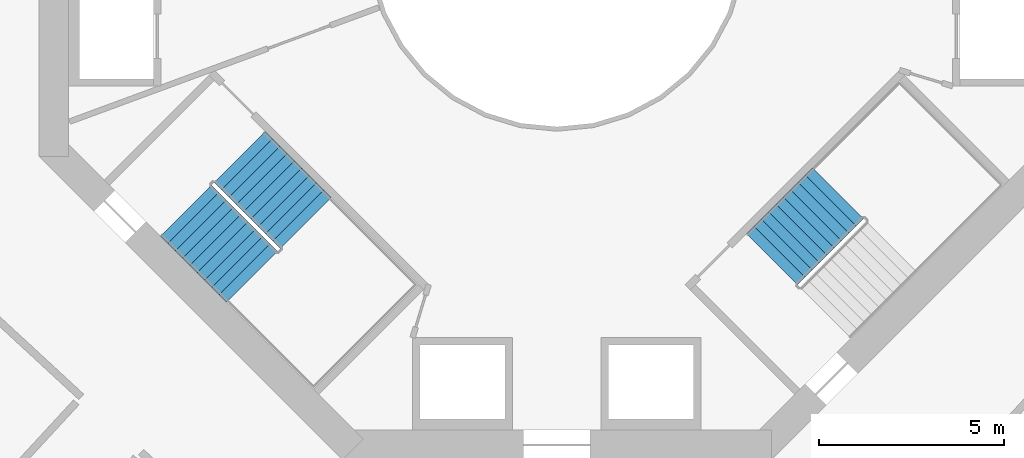
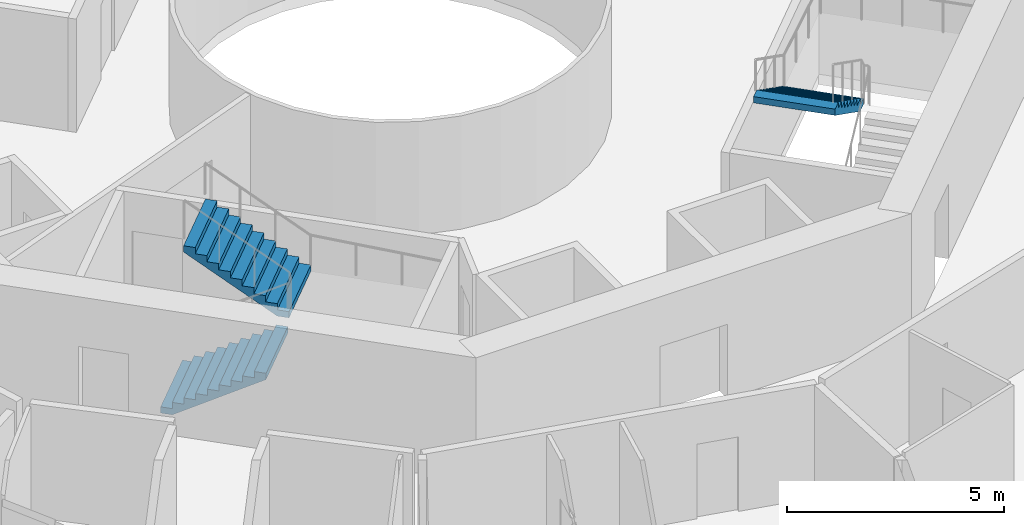
# One storey, part 23 of 25: 3 stair flights, 2 elements without a shape of their own.
"""IFC4 building model written with IfcOpenShell, lengths in metres."""

from ifc_helpers import new_model, si_unit, direction, frame, origin, place, context, subcontext, project, spatial, triangles, material, type_object, element, aggregate, save


model = new_model("IFC4")

# Units and contexts
model_context = context("Model", 3, precision=1e-05, world=origin(), true_north=direction((0.0, 1.0)))
body_context = subcontext(model_context, "Body", "Model", "MODEL_VIEW")
ifc_project = project(units=[si_unit("LENGTHUNIT", "METRE"), si_unit("AREAUNIT", "SQUARE_METRE"), si_unit("VOLUMEUNIT", "CUBIC_METRE"), si_unit("PLANEANGLEUNIT", "RADIAN"), si_unit("MASSUNIT", "GRAM", prefix="KILO")], contexts=[model_context])

# Site, building, storey
site_placement = place(None, origin())
site = spatial("IfcSite", under=ifc_project, at=site_placement, CompositionType="ELEMENT")
building_placement = place(site_placement, origin())
building = spatial("IfcBuilding", under=site, at=building_placement, Name="Verdalira Terraces Hotel", CompositionType="ELEMENT")
storey_placement = place(building_placement, frame((0.0, 0.0, 103.5)))
storey = spatial("IfcBuildingStorey", under=building, at=storey_placement, Name="L24", CompositionType="ELEMENT", Elevation=103.5)

# Stair, stair flights
ifc_material_1 = material(Name="Concrete C40", Category="concrete")
stair_type = type_object("IfcStairType", Name="Core stair 20 risers 1950 mm wide", PredefinedType="HALF_TURN_STAIR", material=ifc_material_1)
stair_1_placement = place(storey_placement, origin())
stair_1 = element("IfcStair", 1, at=stair_1_placement, inside=storey, type_object=stair_type, Name="L24 Exit stair ST2", PredefinedType="HALF_TURN_STAIR")
ifc_material_2 = material(Name="Concrete C40", Category="concrete")
stair_flight_type = type_object("IfcStairFlightType", Name="Core stair flight 20 risers 1950 mm wide", PredefinedType="STRAIGHT", material=ifc_material_2)
stair_flight_1_placement = place(storey_placement, frame((-10.023193, -7.265625, 0.0), z_axis=(0.0, 0.0, 1.0), x_axis=(0.707106781, -0.707106781, 0.0)))
stair_flight_1 = element("IfcStairFlight", 2, at=stair_flight_1_placement, type_object=stair_flight_type, Name="ST2 flight 1", NumberOfRisers=10, NumberOfTreads=9, PredefinedType="STRAIGHT", RiserHeight=0.175, TreadLength=0.28, context=body_context, shape_type="Tessellation", body=[
    triangles([(0.0, 0.974976, 0.0), (0.282715, 0.974976, 0.0), (2.52002, 0.974976, 1.398193), (0.0, -0.974976, 0.0), (0.282715, -0.974976, 0.0), (2.52002, -0.974976, 1.398193), (2.52002, 0.974976, 1.574951), (2.23999, 0.974976, 1.574951), (2.52002, -0.974976, 1.574951), (2.23999, -0.974976, 1.574951), (2.23999, 0.974976, 1.399902), (2.23999, -0.974976, 1.399902), (1.959961, 0.974976, 1.399902), (1.959961, -0.974976, 1.399902), (1.959961, 0.974976, 1.225098), (1.959961, -0.974976, 1.225098), (1.679932, 0.974976, 1.225098), (1.679932, 0.974976, 1.050049), (1.679932, -0.974976, 1.225098), (1.679932, -0.974976, 1.050049), (1.399902, 0.974976, 1.050049), (1.399902, 0.974976, 0.875), (1.399902, -0.974976, 1.050049), (1.399902, -0.974976, 0.875), (1.120117, 0.974976, 0.875), (1.120117, 0.974976, 0.699951), (1.120117, -0.974976, 0.875), (1.120117, -0.974976, 0.699951), (0.840088, 0.974976, 0.699951), (0.840088, 0.974976, 0.524902), (0.840088, -0.974976, 0.699951), (0.840088, -0.974976, 0.524902), (0.560059, 0.974976, 0.524902), (0.560059, 0.974976, 0.350098), (0.560059, -0.974976, 0.524902), (0.560059, -0.974976, 0.350098), (0.280029, 0.974976, 0.350098), (0.280029, 0.974976, 0.175049), (0.280029, -0.974976, 0.350098), (0.280029, -0.974976, 0.175049), (0.0, 0.974976, 0.175049), (0.0, -0.974976, 0.175049), (0.0, -0.91404, 0.0), (0.0, -0.91404, 0.175049), (0.0, -0.853104, 0.0), (0.0, -0.853104, 0.175049), (0.0, -0.792168, 0.0), (0.0, -0.792168, 0.175049), (0.0, -0.731232, 0.0), (0.0, -0.731232, 0.175049), (0.0, -0.670296, 0.0), (0.0, -0.670296, 0.175049), (0.0, -0.60936, 0.0), (0.0, -0.60936, 0.175049), (0.0, -0.548424, 0.0), (0.0, -0.548424, 0.175049), (0.0, -0.487488, 0.0), (0.0, -0.487488, 0.175049), (0.0, -0.426552, 0.0), (0.0, -0.426552, 0.175049), (0.0, -0.365616, 0.0), (0.0, -0.365616, 0.175049), (0.0, -0.30468, 0.0), (0.0, -0.30468, 0.175049), (0.0, -0.243744, 0.0), (0.0, -0.243744, 0.175049), (0.0, -0.182808, 0.0), (0.0, -0.182808, 0.175049), (0.0, -0.121872, 0.0), (0.0, -0.121872, 0.175049), (0.0, -0.060936, 0.0), (0.0, -0.060936, 0.175049), (0.0, 0.0, 0.0), (0.0, 0.0, 0.175049), (0.0, 0.060936, 0.0), (0.0, 0.060936, 0.175049), (0.0, 0.121872, 0.0), (0.0, 0.121872, 0.175049), (0.0, 0.182808, 0.0), (0.0, 0.182808, 0.175049), (0.0, 0.243744, 0.0), (0.0, 0.243744, 0.175049), (0.0, 0.30468, 0.0), (0.0, 0.30468, 0.175049), (0.0, 0.365616, 0.0), (0.0, 0.365616, 0.175049), (0.0, 0.426552, 0.0), (0.0, 0.426552, 0.175049), (0.0, 0.487488, 0.0), (0.0, 0.487488, 0.175049), (0.0, 0.548424, 0.0), (0.0, 0.548424, 0.175049), (0.0, 0.60936, 0.0), (0.0, 0.60936, 0.175049), (0.0, 0.670296, 0.0), (0.0, 0.670296, 0.175049), (0.0, 0.731232, 0.0), (0.0, 0.731232, 0.175049), (0.0, 0.792168, 0.0), (0.0, 0.792168, 0.175049), (0.0, 0.853104, 0.0), (0.0, 0.853104, 0.175049), (0.0, 0.91404, 0.0), (0.0, 0.91404, 0.175049), (2.52002, -0.91404, 1.574951), (2.52002, -0.853104, 1.574951), (2.52002, -0.792168, 1.574951), (2.52002, -0.731232, 1.574951), (2.52002, -0.670296, 1.574951), (2.52002, -0.60936, 1.574951), (2.52002, -0.548424, 1.574951), (2.52002, -0.487488, 1.574951), (2.52002, -0.426552, 1.574951), (2.52002, -0.365616, 1.574951), (2.52002, -0.30468, 1.574951), (2.52002, -0.243744, 1.574951), (2.52002, -0.182808, 1.574951), (2.52002, -0.121872, 1.574951), (2.52002, -0.060936, 1.574951), (2.52002, 0.0, 1.574951), (2.52002, 0.060936, 1.574951), (2.52002, 0.121872, 1.574951), (2.52002, 0.182808, 1.574951), (2.52002, 0.243744, 1.574951), (2.52002, 0.30468, 1.574951), (2.52002, 0.365616, 1.574951), (2.52002, 0.426552, 1.574951), (2.52002, 0.487488, 1.574951), (2.52002, 0.548424, 1.574951), (2.52002, 0.60936, 1.574951), (2.52002, 0.670296, 1.574951), (2.52002, 0.731232, 1.574951), (2.52002, 0.792168, 1.574951), (2.52002, 0.853104, 1.574951), (2.52002, 0.91404, 1.574951), (2.52002, -0.91404, 1.398193), (2.52002, -0.853104, 1.398193), (2.52002, -0.792168, 1.398193), (2.52002, -0.731232, 1.398193), (2.52002, -0.670296, 1.398193), (2.52002, -0.60936, 1.398193), (2.52002, -0.548424, 1.398193), (2.52002, -0.487488, 1.398193), (2.52002, -0.426552, 1.398193), (2.52002, -0.365616, 1.398193), (2.52002, -0.30468, 1.398193), (2.52002, -0.243744, 1.398193), (2.52002, -0.182808, 1.398193), (2.52002, -0.121872, 1.398193), (2.52002, -0.060936, 1.398193), (2.52002, 0.0, 1.398193), (2.52002, 0.060936, 1.398193), (2.52002, 0.121872, 1.398193), (2.52002, 0.182808, 1.398193), (2.52002, 0.243744, 1.398193), (2.52002, 0.30468, 1.398193), (2.52002, 0.365616, 1.398193), (2.52002, 0.426552, 1.398193), (2.52002, 0.487488, 1.398193), (2.52002, 0.548424, 1.398193), (2.52002, 0.60936, 1.398193), (2.52002, 0.670296, 1.398193), (2.52002, 0.731232, 1.398193), (2.52002, 0.792168, 1.398193), (2.52002, 0.853104, 1.398193), (2.52002, 0.91404, 1.398193)], [[1, 3, 2], [4, 5, 6], [3, 8, 7], [6, 9, 10], [3, 11, 8], [6, 10, 12], [3, 13, 11], [6, 12, 14], [3, 15, 13], [6, 14, 16], [15, 18, 17], [16, 19, 20], [3, 18, 15], [6, 16, 20], [18, 22, 21], [20, 23, 24], [3, 22, 18], [6, 20, 24], [22, 26, 25], [24, 27, 28], [3, 26, 22], [6, 24, 28], [26, 30, 29], [28, 31, 32], [3, 30, 26], [6, 28, 32], [1, 30, 3], [4, 6, 32], [30, 34, 33], [32, 35, 36], [34, 38, 37], [36, 39, 40], [30, 38, 34], [32, 36, 40], [1, 38, 30], [4, 32, 40], [38, 1, 41], [40, 42, 4], [4, 44, 43], [4, 42, 44], [43, 46, 45], [43, 44, 46], [45, 48, 47], [45, 46, 48], [47, 50, 49], [47, 48, 50], [49, 52, 51], [49, 50, 52], [51, 54, 53], [51, 52, 54], [53, 56, 55], [53, 54, 56], [55, 58, 57], [55, 56, 58], [57, 60, 59], [57, 58, 60], [59, 62, 61], [59, 60, 62], [61, 64, 63], [61, 62, 64], [63, 66, 65], [63, 64, 66], [65, 68, 67], [65, 66, 68], [67, 70, 69], [67, 68, 70], [69, 72, 71], [69, 70, 72], [71, 74, 73], [71, 72, 74], [73, 76, 75], [73, 74, 76], [75, 78, 77], [75, 76, 78], [77, 80, 79], [77, 78, 80], [79, 82, 81], [79, 80, 82], [81, 84, 83], [81, 82, 84], [83, 86, 85], [83, 84, 86], [85, 88, 87], [85, 86, 88], [87, 90, 89], [87, 88, 90], [89, 92, 91], [89, 90, 92], [91, 94, 93], [91, 92, 94], [93, 96, 95], [93, 94, 96], [95, 98, 97], [95, 96, 98], [97, 100, 99], [97, 98, 100], [99, 102, 101], [99, 100, 102], [101, 104, 103], [101, 102, 104], [103, 41, 1], [103, 104, 41], [42, 40, 44], [44, 40, 46], [46, 40, 48], [48, 40, 50], [50, 40, 52], [52, 40, 54], [54, 40, 56], [56, 40, 58], [58, 40, 60], [60, 40, 62], [62, 40, 64], [64, 40, 66], [66, 40, 68], [68, 40, 70], [70, 40, 72], [72, 40, 74], [74, 40, 76], [76, 40, 78], [78, 40, 80], [80, 40, 82], [82, 40, 84], [84, 40, 86], [86, 40, 88], [88, 40, 90], [90, 40, 92], [92, 40, 94], [94, 40, 96], [96, 40, 98], [98, 40, 100], [100, 40, 102], [102, 40, 104], [104, 40, 41], [41, 40, 38], [40, 37, 38], [40, 39, 37], [39, 34, 37], [39, 36, 34], [36, 33, 34], [36, 35, 33], [35, 30, 33], [35, 32, 30], [32, 29, 30], [32, 31, 29], [31, 26, 29], [31, 28, 26], [28, 25, 26], [28, 27, 25], [27, 22, 25], [27, 24, 22], [24, 21, 22], [24, 23, 21], [23, 18, 21], [23, 20, 18], [20, 17, 18], [20, 19, 17], [19, 15, 17], [19, 16, 15], [16, 13, 15], [16, 14, 13], [14, 11, 13], [14, 12, 11], [12, 8, 11], [12, 10, 8], [9, 105, 10], [105, 106, 10], [106, 107, 10], [107, 108, 10], [108, 109, 10], [109, 110, 10], [110, 111, 10], [111, 112, 10], [112, 113, 10], [113, 114, 10], [114, 115, 10], [115, 116, 10], [116, 117, 10], [117, 118, 10], [118, 119, 10], [119, 120, 10], [120, 121, 10], [121, 122, 10], [122, 123, 10], [123, 124, 10], [124, 125, 10], [125, 126, 10], [126, 127, 10], [127, 128, 10], [128, 129, 10], [129, 130, 10], [130, 131, 10], [131, 132, 10], [132, 133, 10], [133, 134, 10], [134, 135, 10], [135, 7, 10], [7, 8, 10], [9, 136, 105], [9, 6, 136], [105, 137, 106], [105, 136, 137], [106, 138, 107], [106, 137, 138], [107, 139, 108], [107, 138, 139], [108, 140, 109], [108, 139, 140], [109, 141, 110], [109, 140, 141], [110, 142, 111], [110, 141, 142], [111, 143, 112], [111, 142, 143], [112, 144, 113], [112, 143, 144], [113, 145, 114], [113, 144, 145], [114, 146, 115], [114, 145, 146], [115, 147, 116], [115, 146, 147], [116, 148, 117], [116, 147, 148], [117, 149, 118], [117, 148, 149], [118, 150, 119], [118, 149, 150], [119, 151, 120], [119, 150, 151], [120, 152, 121], [120, 151, 152], [121, 153, 122], [121, 152, 153], [122, 154, 123], [122, 153, 154], [123, 155, 124], [123, 154, 155], [124, 156, 125], [124, 155, 156], [125, 157, 126], [125, 156, 157], [126, 158, 127], [126, 157, 158], [127, 159, 128], [127, 158, 159], [128, 160, 129], [128, 159, 160], [129, 161, 130], [129, 160, 161], [130, 162, 131], [130, 161, 162], [131, 163, 132], [131, 162, 163], [132, 164, 133], [132, 163, 164], [133, 165, 134], [133, 164, 165], [134, 166, 135], [134, 165, 166], [135, 3, 7], [135, 166, 3], [6, 5, 136], [136, 5, 137], [137, 5, 138], [138, 5, 139], [139, 5, 140], [140, 5, 141], [141, 5, 142], [142, 5, 143], [143, 5, 144], [144, 5, 145], [145, 5, 146], [146, 5, 147], [147, 5, 148], [148, 5, 149], [149, 5, 150], [150, 5, 151], [151, 5, 152], [152, 5, 153], [153, 5, 154], [154, 5, 155], [155, 5, 156], [156, 5, 157], [157, 5, 158], [158, 5, 159], [159, 5, 160], [160, 5, 161], [161, 5, 162], [162, 5, 163], [163, 5, 164], [164, 5, 165], [165, 5, 166], [166, 5, 3], [3, 5, 2], [4, 43, 5], [43, 45, 5], [45, 47, 5], [47, 49, 5], [49, 51, 5], [51, 53, 5], [53, 55, 5], [55, 57, 5], [57, 59, 5], [59, 61, 5], [61, 63, 5], [63, 65, 5], [65, 67, 5], [67, 69, 5], [69, 71, 5], [71, 73, 5], [73, 75, 5], [75, 77, 5], [77, 79, 5], [79, 81, 5], [81, 83, 5], [83, 85, 5], [85, 87, 5], [87, 89, 5], [89, 91, 5], [91, 93, 5], [93, 95, 5], [95, 97, 5], [97, 99, 5], [99, 101, 5], [101, 103, 5], [103, 1, 5], [1, 2, 5]], closed=True),
])
stair_flight_2_placement = place(storey_placement, frame((-6.791748, -7.5979, 1.75), z_axis=(0.0, 0.0, 1.0), x_axis=(-0.707106781, 0.707106781, 0.0)))
stair_flight_2 = element("IfcStairFlight", 3, at=stair_flight_2_placement, type_object=stair_flight_type, Name="ST2 flight 2", NumberOfRisers=10, NumberOfTreads=9, PredefinedType="STRAIGHT", RiserHeight=0.175, TreadLength=0.28, context=body_context, shape_type="Tessellation", body=[
    triangles([(0.0, 0.974976, 0.0), (0.282715, 0.974976, 0.0), (2.52002, 0.974976, 1.398193), (0.0, -0.974976, 0.0), (0.282715, -0.974976, 0.0), (2.52002, -0.974976, 1.398193), (2.52002, 0.974976, 1.574951), (2.23999, 0.974976, 1.574951), (2.52002, -0.974976, 1.574951), (2.23999, -0.974976, 1.574951), (2.23999, 0.974976, 1.399902), (2.23999, -0.974976, 1.399902), (1.959961, 0.974976, 1.399902), (1.959961, -0.974976, 1.399902), (1.959961, 0.974976, 1.225098), (1.959961, -0.974976, 1.225098), (1.679932, 0.974976, 1.225098), (1.679932, 0.974976, 1.050049), (1.679932, -0.974976, 1.225098), (1.679932, -0.974976, 1.050049), (1.399902, 0.974976, 1.050049), (1.399902, 0.974976, 0.875), (1.399902, -0.974976, 1.050049), (1.399902, -0.974976, 0.875), (1.120117, 0.974976, 0.875), (1.120117, 0.974976, 0.699951), (1.120117, -0.974976, 0.875), (1.120117, -0.974976, 0.699951), (0.840088, 0.974976, 0.699951), (0.840088, 0.974976, 0.524902), (0.840088, -0.974976, 0.699951), (0.840088, -0.974976, 0.524902), (0.560059, 0.974976, 0.524902), (0.560059, 0.974976, 0.350098), (0.560059, -0.974976, 0.524902), (0.560059, -0.974976, 0.350098), (0.280029, 0.974976, 0.350098), (0.280029, 0.974976, 0.175049), (0.280029, -0.974976, 0.350098), (0.280029, -0.974976, 0.175049), (0.0, 0.974976, 0.175049), (0.0, -0.974976, 0.175049), (0.0, -0.91404, 0.0), (0.0, -0.91404, 0.175049), (0.0, -0.853104, 0.0), (0.0, -0.853104, 0.175049), (0.0, -0.792168, 0.0), (0.0, -0.792168, 0.175049), (0.0, -0.731232, 0.0), (0.0, -0.731232, 0.175049), (0.0, -0.670296, 0.0), (0.0, -0.670296, 0.175049), (0.0, -0.60936, 0.0), (0.0, -0.60936, 0.175049), (0.0, -0.548424, 0.0), (0.0, -0.548424, 0.175049), (0.0, -0.487488, 0.0), (0.0, -0.487488, 0.175049), (0.0, -0.426552, 0.0), (0.0, -0.426552, 0.175049), (0.0, -0.365616, 0.0), (0.0, -0.365616, 0.175049), (0.0, -0.30468, 0.0), (0.0, -0.30468, 0.175049), (0.0, -0.243744, 0.0), (0.0, -0.243744, 0.175049), (0.0, -0.182808, 0.0), (0.0, -0.182808, 0.175049), (0.0, -0.121872, 0.0), (0.0, -0.121872, 0.175049), (0.0, -0.060936, 0.0), (0.0, -0.060936, 0.175049), (0.0, 0.0, 0.0), (0.0, 0.0, 0.175049), (0.0, 0.060936, 0.0), (0.0, 0.060936, 0.175049), (0.0, 0.121872, 0.0), (0.0, 0.121872, 0.175049), (0.0, 0.182808, 0.0), (0.0, 0.182808, 0.175049), (0.0, 0.243744, 0.0), (0.0, 0.243744, 0.175049), (0.0, 0.30468, 0.0), (0.0, 0.30468, 0.175049), (0.0, 0.365616, 0.0), (0.0, 0.365616, 0.175049), (0.0, 0.426552, 0.0), (0.0, 0.426552, 0.175049), (0.0, 0.487488, 0.0), (0.0, 0.487488, 0.175049), (0.0, 0.548424, 0.0), (0.0, 0.548424, 0.175049), (0.0, 0.60936, 0.0), (0.0, 0.60936, 0.175049), (0.0, 0.670296, 0.0), (0.0, 0.670296, 0.175049), (0.0, 0.731232, 0.0), (0.0, 0.731232, 0.175049), (0.0, 0.792168, 0.0), (0.0, 0.792168, 0.175049), (0.0, 0.853104, 0.0), (0.0, 0.853104, 0.175049), (0.0, 0.91404, 0.0), (0.0, 0.91404, 0.175049), (2.52002, -0.91404, 1.574951), (2.52002, -0.853104, 1.574951), (2.52002, -0.792168, 1.574951), (2.52002, -0.731232, 1.574951), (2.52002, -0.670296, 1.574951), (2.52002, -0.60936, 1.574951), (2.52002, -0.548424, 1.574951), (2.52002, -0.487488, 1.574951), (2.52002, -0.426552, 1.574951), (2.52002, -0.365616, 1.574951), (2.52002, -0.30468, 1.574951), (2.52002, -0.243744, 1.574951), (2.52002, -0.182808, 1.574951), (2.52002, -0.121872, 1.574951), (2.52002, -0.060936, 1.574951), (2.52002, 0.0, 1.574951), (2.52002, 0.060936, 1.574951), (2.52002, 0.121872, 1.574951), (2.52002, 0.182808, 1.574951), (2.52002, 0.243744, 1.574951), (2.52002, 0.30468, 1.574951), (2.52002, 0.365616, 1.574951), (2.52002, 0.426552, 1.574951), (2.52002, 0.487488, 1.574951), (2.52002, 0.548424, 1.574951), (2.52002, 0.60936, 1.574951), (2.52002, 0.670296, 1.574951), (2.52002, 0.731232, 1.574951), (2.52002, 0.792168, 1.574951), (2.52002, 0.853104, 1.574951), (2.52002, 0.91404, 1.574951), (2.52002, -0.91404, 1.398193), (2.52002, -0.853104, 1.398193), (2.52002, -0.792168, 1.398193), (2.52002, -0.731232, 1.398193), (2.52002, -0.670296, 1.398193), (2.52002, -0.60936, 1.398193), (2.52002, -0.548424, 1.398193), (2.52002, -0.487488, 1.398193), (2.52002, -0.426552, 1.398193), (2.52002, -0.365616, 1.398193), (2.52002, -0.30468, 1.398193), (2.52002, -0.243744, 1.398193), (2.52002, -0.182808, 1.398193), (2.52002, -0.121872, 1.398193), (2.52002, -0.060936, 1.398193), (2.52002, 0.0, 1.398193), (2.52002, 0.060936, 1.398193), (2.52002, 0.121872, 1.398193), (2.52002, 0.182808, 1.398193), (2.52002, 0.243744, 1.398193), (2.52002, 0.30468, 1.398193), (2.52002, 0.365616, 1.398193), (2.52002, 0.426552, 1.398193), (2.52002, 0.487488, 1.398193), (2.52002, 0.548424, 1.398193), (2.52002, 0.60936, 1.398193), (2.52002, 0.670296, 1.398193), (2.52002, 0.731232, 1.398193), (2.52002, 0.792168, 1.398193), (2.52002, 0.853104, 1.398193), (2.52002, 0.91404, 1.398193)], [[1, 3, 2], [4, 5, 6], [3, 8, 7], [6, 9, 10], [3, 11, 8], [6, 10, 12], [3, 13, 11], [6, 12, 14], [3, 15, 13], [6, 14, 16], [15, 18, 17], [16, 19, 20], [3, 18, 15], [6, 16, 20], [18, 22, 21], [20, 23, 24], [3, 22, 18], [6, 20, 24], [22, 26, 25], [24, 27, 28], [3, 26, 22], [6, 24, 28], [26, 30, 29], [28, 31, 32], [3, 30, 26], [6, 28, 32], [1, 30, 3], [4, 6, 32], [30, 34, 33], [32, 35, 36], [34, 38, 37], [36, 39, 40], [30, 38, 34], [32, 36, 40], [1, 38, 30], [4, 32, 40], [38, 1, 41], [40, 42, 4], [4, 44, 43], [4, 42, 44], [43, 46, 45], [43, 44, 46], [45, 48, 47], [45, 46, 48], [47, 50, 49], [47, 48, 50], [49, 52, 51], [49, 50, 52], [51, 54, 53], [51, 52, 54], [53, 56, 55], [53, 54, 56], [55, 58, 57], [55, 56, 58], [57, 60, 59], [57, 58, 60], [59, 62, 61], [59, 60, 62], [61, 64, 63], [61, 62, 64], [63, 66, 65], [63, 64, 66], [65, 68, 67], [65, 66, 68], [67, 70, 69], [67, 68, 70], [69, 72, 71], [69, 70, 72], [71, 74, 73], [71, 72, 74], [73, 76, 75], [73, 74, 76], [75, 78, 77], [75, 76, 78], [77, 80, 79], [77, 78, 80], [79, 82, 81], [79, 80, 82], [81, 84, 83], [81, 82, 84], [83, 86, 85], [83, 84, 86], [85, 88, 87], [85, 86, 88], [87, 90, 89], [87, 88, 90], [89, 92, 91], [89, 90, 92], [91, 94, 93], [91, 92, 94], [93, 96, 95], [93, 94, 96], [95, 98, 97], [95, 96, 98], [97, 100, 99], [97, 98, 100], [99, 102, 101], [99, 100, 102], [101, 104, 103], [101, 102, 104], [103, 41, 1], [103, 104, 41], [42, 40, 44], [44, 40, 46], [46, 40, 48], [48, 40, 50], [50, 40, 52], [52, 40, 54], [54, 40, 56], [56, 40, 58], [58, 40, 60], [60, 40, 62], [62, 40, 64], [64, 40, 66], [66, 40, 68], [68, 40, 70], [70, 40, 72], [72, 40, 74], [74, 40, 76], [76, 40, 78], [78, 40, 80], [80, 40, 82], [82, 40, 84], [84, 40, 86], [86, 40, 88], [88, 40, 90], [90, 40, 92], [92, 40, 94], [94, 40, 96], [96, 40, 98], [98, 40, 100], [100, 40, 102], [102, 40, 104], [104, 40, 41], [41, 40, 38], [40, 37, 38], [40, 39, 37], [39, 34, 37], [39, 36, 34], [36, 33, 34], [36, 35, 33], [35, 30, 33], [35, 32, 30], [32, 29, 30], [32, 31, 29], [31, 26, 29], [31, 28, 26], [28, 25, 26], [28, 27, 25], [27, 22, 25], [27, 24, 22], [24, 21, 22], [24, 23, 21], [23, 18, 21], [23, 20, 18], [20, 17, 18], [20, 19, 17], [19, 15, 17], [19, 16, 15], [16, 13, 15], [16, 14, 13], [14, 11, 13], [14, 12, 11], [12, 8, 11], [12, 10, 8], [9, 105, 10], [105, 106, 10], [106, 107, 10], [107, 108, 10], [108, 109, 10], [109, 110, 10], [110, 111, 10], [111, 112, 10], [112, 113, 10], [113, 114, 10], [114, 115, 10], [115, 116, 10], [116, 117, 10], [117, 118, 10], [118, 119, 10], [119, 120, 10], [120, 121, 10], [121, 122, 10], [122, 123, 10], [123, 124, 10], [124, 125, 10], [125, 126, 10], [126, 127, 10], [127, 128, 10], [128, 129, 10], [129, 130, 10], [130, 131, 10], [131, 132, 10], [132, 133, 10], [133, 134, 10], [134, 135, 10], [135, 7, 10], [7, 8, 10], [9, 136, 105], [9, 6, 136], [105, 137, 106], [105, 136, 137], [106, 138, 107], [106, 137, 138], [107, 139, 108], [107, 138, 139], [108, 140, 109], [108, 139, 140], [109, 141, 110], [109, 140, 141], [110, 142, 111], [110, 141, 142], [111, 143, 112], [111, 142, 143], [112, 144, 113], [112, 143, 144], [113, 145, 114], [113, 144, 145], [114, 146, 115], [114, 145, 146], [115, 147, 116], [115, 146, 147], [116, 148, 117], [116, 147, 148], [117, 149, 118], [117, 148, 149], [118, 150, 119], [118, 149, 150], [119, 151, 120], [119, 150, 151], [120, 152, 121], [120, 151, 152], [121, 153, 122], [121, 152, 153], [122, 154, 123], [122, 153, 154], [123, 155, 124], [123, 154, 155], [124, 156, 125], [124, 155, 156], [125, 157, 126], [125, 156, 157], [126, 158, 127], [126, 157, 158], [127, 159, 128], [127, 158, 159], [128, 160, 129], [128, 159, 160], [129, 161, 130], [129, 160, 161], [130, 162, 131], [130, 161, 162], [131, 163, 132], [131, 162, 163], [132, 164, 133], [132, 163, 164], [133, 165, 134], [133, 164, 165], [134, 166, 135], [134, 165, 166], [135, 3, 7], [135, 166, 3], [6, 5, 136], [136, 5, 137], [137, 5, 138], [138, 5, 139], [139, 5, 140], [140, 5, 141], [141, 5, 142], [142, 5, 143], [143, 5, 144], [144, 5, 145], [145, 5, 146], [146, 5, 147], [147, 5, 148], [148, 5, 149], [149, 5, 150], [150, 5, 151], [151, 5, 152], [152, 5, 153], [153, 5, 154], [154, 5, 155], [155, 5, 156], [156, 5, 157], [157, 5, 158], [158, 5, 159], [159, 5, 160], [160, 5, 161], [161, 5, 162], [162, 5, 163], [163, 5, 164], [164, 5, 165], [165, 5, 166], [166, 5, 3], [3, 5, 2], [4, 43, 5], [43, 45, 5], [45, 47, 5], [47, 49, 5], [49, 51, 5], [51, 53, 5], [53, 55, 5], [55, 57, 5], [57, 59, 5], [59, 61, 5], [61, 63, 5], [63, 65, 5], [65, 67, 5], [67, 69, 5], [69, 71, 5], [71, 73, 5], [73, 75, 5], [75, 77, 5], [77, 79, 5], [79, 81, 5], [81, 83, 5], [83, 85, 5], [85, 87, 5], [87, 89, 5], [89, 91, 5], [91, 93, 5], [93, 95, 5], [95, 97, 5], [97, 99, 5], [99, 101, 5], [101, 103, 5], [103, 1, 5], [1, 2, 5]], closed=True),
])
aggregate(stair_1, [stair_flight_1, stair_flight_2])

# Stair, stair flight
stair_2_placement = place(storey_placement, origin())
stair_2 = element("IfcStair", 4, at=stair_2_placement, inside=storey, type_object=stair_type, Name="L24 Exit stair ST3", PredefinedType="HALF_TURN_STAIR")
stair_flight_3_placement = place(storey_placement, frame((7.5979, -6.791748, 1.75), z_axis=(0.0, 0.0, 1.0), x_axis=(-0.707106781, -0.707106781, 0.0)))
stair_flight_3 = element("IfcStairFlight", 5, at=stair_flight_3_placement, type_object=stair_flight_type, Name="ST3 flight 2", NumberOfRisers=10, NumberOfTreads=9, PredefinedType="STRAIGHT", RiserHeight=0.175, TreadLength=0.28, context=body_context, shape_type="Tessellation", body=[
    triangles([(0.0, 0.974976, 0.0), (0.282715, 0.974976, 0.0), (2.52002, 0.974976, 1.398193), (0.0, -0.974976, 0.0), (0.282715, -0.974976, 0.0), (2.52002, -0.974976, 1.398193), (2.52002, 0.974976, 1.574951), (2.23999, 0.974976, 1.574951), (2.52002, -0.974976, 1.574951), (2.23999, -0.974976, 1.574951), (2.23999, 0.974976, 1.399902), (2.23999, -0.974976, 1.399902), (1.959961, 0.974976, 1.399902), (1.959961, -0.974976, 1.399902), (1.959961, 0.974976, 1.225098), (1.959961, -0.974976, 1.225098), (1.679932, 0.974976, 1.225098), (1.679932, 0.974976, 1.050049), (1.679932, -0.974976, 1.225098), (1.679932, -0.974976, 1.050049), (1.399902, 0.974976, 1.050049), (1.399902, 0.974976, 0.875), (1.399902, -0.974976, 1.050049), (1.399902, -0.974976, 0.875), (1.120117, 0.974976, 0.875), (1.120117, 0.974976, 0.699951), (1.120117, -0.974976, 0.875), (1.120117, -0.974976, 0.699951), (0.840088, 0.974976, 0.699951), (0.840088, 0.974976, 0.524902), (0.840088, -0.974976, 0.699951), (0.840088, -0.974976, 0.524902), (0.560059, 0.974976, 0.524902), (0.560059, 0.974976, 0.350098), (0.560059, -0.974976, 0.524902), (0.560059, -0.974976, 0.350098), (0.280029, 0.974976, 0.350098), (0.280029, 0.974976, 0.175049), (0.280029, -0.974976, 0.350098), (0.280029, -0.974976, 0.175049), (0.0, 0.974976, 0.175049), (0.0, -0.974976, 0.175049), (0.0, -0.91404, 0.0), (0.0, -0.91404, 0.175049), (0.0, -0.853104, 0.0), (0.0, -0.853104, 0.175049), (0.0, -0.792168, 0.0), (0.0, -0.792168, 0.175049), (0.0, -0.731232, 0.0), (0.0, -0.731232, 0.175049), (0.0, -0.670296, 0.0), (0.0, -0.670296, 0.175049), (0.0, -0.60936, 0.0), (0.0, -0.60936, 0.175049), (0.0, -0.548424, 0.0), (0.0, -0.548424, 0.175049), (0.0, -0.487488, 0.0), (0.0, -0.487488, 0.175049), (0.0, -0.426552, 0.0), (0.0, -0.426552, 0.175049), (0.0, -0.365616, 0.0), (0.0, -0.365616, 0.175049), (0.0, -0.30468, 0.0), (0.0, -0.30468, 0.175049), (0.0, -0.243744, 0.0), (0.0, -0.243744, 0.175049), (0.0, -0.182808, 0.0), (0.0, -0.182808, 0.175049), (0.0, -0.121872, 0.0), (0.0, -0.121872, 0.175049), (0.0, -0.060936, 0.0), (0.0, -0.060936, 0.175049), (0.0, 0.0, 0.0), (0.0, 0.0, 0.175049), (0.0, 0.060936, 0.0), (0.0, 0.060936, 0.175049), (0.0, 0.121872, 0.0), (0.0, 0.121872, 0.175049), (0.0, 0.182808, 0.0), (0.0, 0.182808, 0.175049), (0.0, 0.243744, 0.0), (0.0, 0.243744, 0.175049), (0.0, 0.30468, 0.0), (0.0, 0.30468, 0.175049), (0.0, 0.365616, 0.0), (0.0, 0.365616, 0.175049), (0.0, 0.426552, 0.0), (0.0, 0.426552, 0.175049), (0.0, 0.487488, 0.0), (0.0, 0.487488, 0.175049), (0.0, 0.548424, 0.0), (0.0, 0.548424, 0.175049), (0.0, 0.60936, 0.0), (0.0, 0.60936, 0.175049), (0.0, 0.670296, 0.0), (0.0, 0.670296, 0.175049), (0.0, 0.731232, 0.0), (0.0, 0.731232, 0.175049), (0.0, 0.792168, 0.0), (0.0, 0.792168, 0.175049), (0.0, 0.853104, 0.0), (0.0, 0.853104, 0.175049), (0.0, 0.91404, 0.0), (0.0, 0.91404, 0.175049), (2.52002, -0.91404, 1.574951), (2.52002, -0.853104, 1.574951), (2.52002, -0.792168, 1.574951), (2.52002, -0.731232, 1.574951), (2.52002, -0.670296, 1.574951), (2.52002, -0.60936, 1.574951), (2.52002, -0.548424, 1.574951), (2.52002, -0.487488, 1.574951), (2.52002, -0.426552, 1.574951), (2.52002, -0.365616, 1.574951), (2.52002, -0.30468, 1.574951), (2.52002, -0.243744, 1.574951), (2.52002, -0.182808, 1.574951), (2.52002, -0.121872, 1.574951), (2.52002, -0.060936, 1.574951), (2.52002, 0.0, 1.574951), (2.52002, 0.060936, 1.574951), (2.52002, 0.121872, 1.574951), (2.52002, 0.182808, 1.574951), (2.52002, 0.243744, 1.574951), (2.52002, 0.30468, 1.574951), (2.52002, 0.365616, 1.574951), (2.52002, 0.426552, 1.574951), (2.52002, 0.487488, 1.574951), (2.52002, 0.548424, 1.574951), (2.52002, 0.60936, 1.574951), (2.52002, 0.670296, 1.574951), (2.52002, 0.731232, 1.574951), (2.52002, 0.792168, 1.574951), (2.52002, 0.853104, 1.574951), (2.52002, 0.91404, 1.574951), (2.52002, -0.91404, 1.398193), (2.52002, -0.853104, 1.398193), (2.52002, -0.792168, 1.398193), (2.52002, -0.731232, 1.398193), (2.52002, -0.670296, 1.398193), (2.52002, -0.60936, 1.398193), (2.52002, -0.548424, 1.398193), (2.52002, -0.487488, 1.398193), (2.52002, -0.426552, 1.398193), (2.52002, -0.365616, 1.398193), (2.52002, -0.30468, 1.398193), (2.52002, -0.243744, 1.398193), (2.52002, -0.182808, 1.398193), (2.52002, -0.121872, 1.398193), (2.52002, -0.060936, 1.398193), (2.52002, 0.0, 1.398193), (2.52002, 0.060936, 1.398193), (2.52002, 0.121872, 1.398193), (2.52002, 0.182808, 1.398193), (2.52002, 0.243744, 1.398193), (2.52002, 0.30468, 1.398193), (2.52002, 0.365616, 1.398193), (2.52002, 0.426552, 1.398193), (2.52002, 0.487488, 1.398193), (2.52002, 0.548424, 1.398193), (2.52002, 0.60936, 1.398193), (2.52002, 0.670296, 1.398193), (2.52002, 0.731232, 1.398193), (2.52002, 0.792168, 1.398193), (2.52002, 0.853104, 1.398193), (2.52002, 0.91404, 1.398193)], [[1, 3, 2], [4, 5, 6], [3, 8, 7], [6, 9, 10], [3, 11, 8], [6, 10, 12], [3, 13, 11], [6, 12, 14], [3, 15, 13], [6, 14, 16], [15, 18, 17], [16, 19, 20], [3, 18, 15], [6, 16, 20], [18, 22, 21], [20, 23, 24], [3, 22, 18], [6, 20, 24], [22, 26, 25], [24, 27, 28], [3, 26, 22], [6, 24, 28], [26, 30, 29], [28, 31, 32], [3, 30, 26], [6, 28, 32], [1, 30, 3], [4, 6, 32], [30, 34, 33], [32, 35, 36], [34, 38, 37], [36, 39, 40], [30, 38, 34], [32, 36, 40], [1, 38, 30], [4, 32, 40], [38, 1, 41], [40, 42, 4], [4, 44, 43], [4, 42, 44], [43, 46, 45], [43, 44, 46], [45, 48, 47], [45, 46, 48], [47, 50, 49], [47, 48, 50], [49, 52, 51], [49, 50, 52], [51, 54, 53], [51, 52, 54], [53, 56, 55], [53, 54, 56], [55, 58, 57], [55, 56, 58], [57, 60, 59], [57, 58, 60], [59, 62, 61], [59, 60, 62], [61, 64, 63], [61, 62, 64], [63, 66, 65], [63, 64, 66], [65, 68, 67], [65, 66, 68], [67, 70, 69], [67, 68, 70], [69, 72, 71], [69, 70, 72], [71, 74, 73], [71, 72, 74], [73, 76, 75], [73, 74, 76], [75, 78, 77], [75, 76, 78], [77, 80, 79], [77, 78, 80], [79, 82, 81], [79, 80, 82], [81, 84, 83], [81, 82, 84], [83, 86, 85], [83, 84, 86], [85, 88, 87], [85, 86, 88], [87, 90, 89], [87, 88, 90], [89, 92, 91], [89, 90, 92], [91, 94, 93], [91, 92, 94], [93, 96, 95], [93, 94, 96], [95, 98, 97], [95, 96, 98], [97, 100, 99], [97, 98, 100], [99, 102, 101], [99, 100, 102], [101, 104, 103], [101, 102, 104], [103, 41, 1], [103, 104, 41], [42, 40, 44], [44, 40, 46], [46, 40, 48], [48, 40, 50], [50, 40, 52], [52, 40, 54], [54, 40, 56], [56, 40, 58], [58, 40, 60], [60, 40, 62], [62, 40, 64], [64, 40, 66], [66, 40, 68], [68, 40, 70], [70, 40, 72], [72, 40, 74], [74, 40, 76], [76, 40, 78], [78, 40, 80], [80, 40, 82], [82, 40, 84], [84, 40, 86], [86, 40, 88], [88, 40, 90], [90, 40, 92], [92, 40, 94], [94, 40, 96], [96, 40, 98], [98, 40, 100], [100, 40, 102], [102, 40, 104], [104, 40, 41], [41, 40, 38], [40, 37, 38], [40, 39, 37], [39, 34, 37], [39, 36, 34], [36, 33, 34], [36, 35, 33], [35, 30, 33], [35, 32, 30], [32, 29, 30], [32, 31, 29], [31, 26, 29], [31, 28, 26], [28, 25, 26], [28, 27, 25], [27, 22, 25], [27, 24, 22], [24, 21, 22], [24, 23, 21], [23, 18, 21], [23, 20, 18], [20, 17, 18], [20, 19, 17], [19, 15, 17], [19, 16, 15], [16, 13, 15], [16, 14, 13], [14, 11, 13], [14, 12, 11], [12, 8, 11], [12, 10, 8], [9, 105, 10], [105, 106, 10], [106, 107, 10], [107, 108, 10], [108, 109, 10], [109, 110, 10], [110, 111, 10], [111, 112, 10], [112, 113, 10], [113, 114, 10], [114, 115, 10], [115, 116, 10], [116, 117, 10], [117, 118, 10], [118, 119, 10], [119, 120, 10], [120, 121, 10], [121, 122, 10], [122, 123, 10], [123, 124, 10], [124, 125, 10], [125, 126, 10], [126, 127, 10], [127, 128, 10], [128, 129, 10], [129, 130, 10], [130, 131, 10], [131, 132, 10], [132, 133, 10], [133, 134, 10], [134, 135, 10], [135, 7, 10], [7, 8, 10], [9, 136, 105], [9, 6, 136], [105, 137, 106], [105, 136, 137], [106, 138, 107], [106, 137, 138], [107, 139, 108], [107, 138, 139], [108, 140, 109], [108, 139, 140], [109, 141, 110], [109, 140, 141], [110, 142, 111], [110, 141, 142], [111, 143, 112], [111, 142, 143], [112, 144, 113], [112, 143, 144], [113, 145, 114], [113, 144, 145], [114, 146, 115], [114, 145, 146], [115, 147, 116], [115, 146, 147], [116, 148, 117], [116, 147, 148], [117, 149, 118], [117, 148, 149], [118, 150, 119], [118, 149, 150], [119, 151, 120], [119, 150, 151], [120, 152, 121], [120, 151, 152], [121, 153, 122], [121, 152, 153], [122, 154, 123], [122, 153, 154], [123, 155, 124], [123, 154, 155], [124, 156, 125], [124, 155, 156], [125, 157, 126], [125, 156, 157], [126, 158, 127], [126, 157, 158], [127, 159, 128], [127, 158, 159], [128, 160, 129], [128, 159, 160], [129, 161, 130], [129, 160, 161], [130, 162, 131], [130, 161, 162], [131, 163, 132], [131, 162, 163], [132, 164, 133], [132, 163, 164], [133, 165, 134], [133, 164, 165], [134, 166, 135], [134, 165, 166], [135, 3, 7], [135, 166, 3], [6, 5, 136], [136, 5, 137], [137, 5, 138], [138, 5, 139], [139, 5, 140], [140, 5, 141], [141, 5, 142], [142, 5, 143], [143, 5, 144], [144, 5, 145], [145, 5, 146], [146, 5, 147], [147, 5, 148], [148, 5, 149], [149, 5, 150], [150, 5, 151], [151, 5, 152], [152, 5, 153], [153, 5, 154], [154, 5, 155], [155, 5, 156], [156, 5, 157], [157, 5, 158], [158, 5, 159], [159, 5, 160], [160, 5, 161], [161, 5, 162], [162, 5, 163], [163, 5, 164], [164, 5, 165], [165, 5, 166], [166, 5, 3], [3, 5, 2], [4, 43, 5], [43, 45, 5], [45, 47, 5], [47, 49, 5], [49, 51, 5], [51, 53, 5], [53, 55, 5], [55, 57, 5], [57, 59, 5], [59, 61, 5], [61, 63, 5], [63, 65, 5], [65, 67, 5], [67, 69, 5], [69, 71, 5], [71, 73, 5], [73, 75, 5], [75, 77, 5], [77, 79, 5], [79, 81, 5], [81, 83, 5], [83, 85, 5], [85, 87, 5], [87, 89, 5], [89, 91, 5], [91, 93, 5], [93, 95, 5], [95, 97, 5], [97, 99, 5], [99, 101, 5], [101, 103, 5], [103, 1, 5], [1, 2, 5]], closed=True),
])
aggregate(stair_2, [stair_flight_3])

save(model, "model.ifc")
